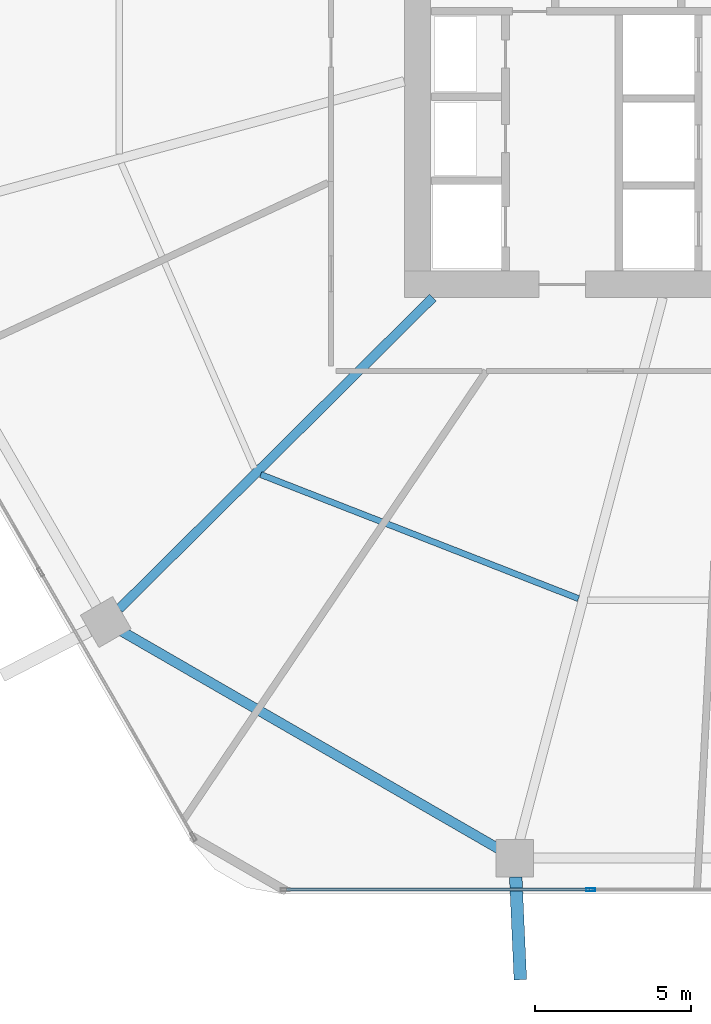
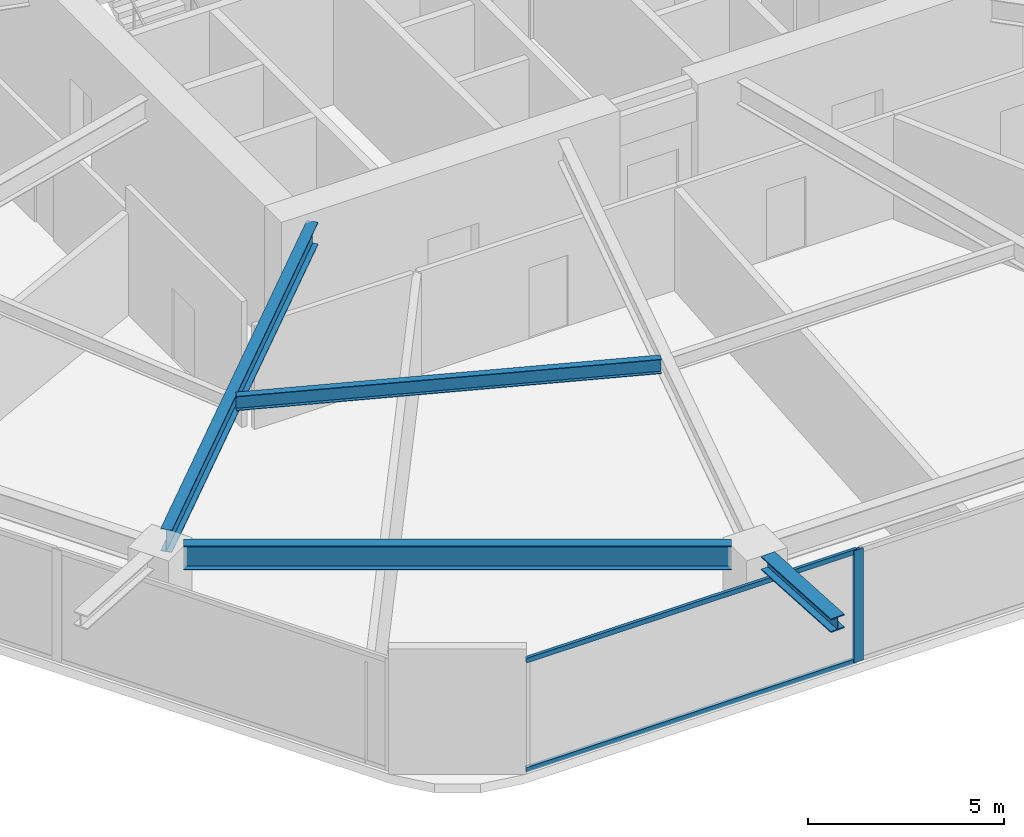
# One storey, part 3 of 25: 4 beams, 3 members, 1 element without a shape of its own.
"""IFC4 building model written with IfcOpenShell, lengths in metres."""

from ifc_helpers import new_model, si_unit, direction, frame, origin, origin_2d, place, context, subcontext, project, spatial, hollow_rectangle, i_section, extrude, material, material_profile, profile_set, type_object, element, aggregate, save


model = new_model("IFC4")

# Units and contexts
model_context = context("Model", 3, precision=1e-05, world=origin(), true_north=direction((0.0, 1.0)))
body_context = subcontext(model_context, "Body", "Model", "MODEL_VIEW")
ifc_project = project(units=[si_unit("LENGTHUNIT", "METRE"), si_unit("AREAUNIT", "SQUARE_METRE"), si_unit("VOLUMEUNIT", "CUBIC_METRE"), si_unit("PLANEANGLEUNIT", "RADIAN"), si_unit("MASSUNIT", "GRAM", prefix="KILO")], contexts=[model_context])

# Site, building, storey
site_placement = place(None, origin())
site = spatial("IfcSite", under=ifc_project, at=site_placement, CompositionType="ELEMENT")
building_placement = place(site_placement, origin())
building = spatial("IfcBuilding", under=site, at=building_placement, Name="Zuhravey Tower", CompositionType="ELEMENT")
storey_placement = place(building_placement, frame((0.0, 0.0, 45.60009765625)))
storey = spatial("IfcBuildingStorey", under=building, at=storey_placement, Name="L11", CompositionType="ELEMENT", Elevation=45.60009765625)

# Curtain wall, members
ifc_material_1 = material(Name="Thermally broken anodised aluminium", Category="aluminium")
curtain_wall_type = type_object("IfcCurtainWallType", Name="School Low-E Unitised Curtain Wall CW1", PredefinedType="NOTDEFINED", material=ifc_material_1)
curtain_wall_placement = place(storey_placement, origin())
curtain_wall = element("IfcCurtainWall", 1, at=curtain_wall_placement, inside=storey, type_object=curtain_wall_type, Name="L11 CW1 CW-L11-F5-1", PredefinedType="NOTDEFINED")
ifc_material_2 = material(Name="Anodised aluminium", Category="aluminium")
ifc_material_profile_1 = material_profile(ifc_material_2, hollow_rectangle(XDim=0.090087890625, YDim=0.284912109375, WallThickness=0.0048828125, at=origin_2d()), Name="ALU-RHS-90x285x5")
ifc_profile_set_1 = profile_set([ifc_material_profile_1], Name="Anodised aluminium")
member_type_1 = type_object("IfcMemberType", Name="Curtain-Wall Mullion 90x180", PredefinedType="MULLION", material=ifc_profile_set_1)
member_1_placement = place(storey_placement, frame((31.06689453125, 3.04150390625, 0.0), z_axis=(0.0, 0.0, 1.0), x_axis=(0.0, -1.0, 0.0)))
member_1 = element("IfcMember", 2, at=member_1_placement, type_object=member_type_1, Name="CW1 mullion 3", PredefinedType="MULLION", context=body_context, shape_type="SweptSolid", body=[
    extrude(hollow_rectangle(XDim=0.090087890625, YDim=0.284912109375, WallThickness=0.0048828125, at=origin_2d()), origin(), (0.0, 0.0, 1.0), 3.491943359375),
])
ifc_material_profile_2 = material_profile(ifc_material_2, hollow_rectangle(XDim=0.090087890625, YDim=0.14990234375, WallThickness=0.0048828125, at=origin_2d()), Name="ALU-RHS-90x150x5")
ifc_profile_set_2 = profile_set([ifc_material_profile_2], Name="Anodised aluminium")
member_type_2 = type_object("IfcMemberType", Name="Curtain-Wall Transom 90x150", PredefinedType="USERDEFINED", material=ifc_profile_set_2)
member_2_placement = place(storey_placement, frame((31.021728515625, 3.04150390625, 0.044921875), z_axis=(-1.0, 0.0, 0.0), x_axis=(0.0, -1.0, 0.0)))
member_2 = element("IfcMember", 3, at=member_2_placement, type_object=member_type_2, Name="CW1 transom 3.1", ObjectType="TRANSOM", PredefinedType="USERDEFINED", context=body_context, shape_type="SweptSolid", body=[
    extrude(hollow_rectangle(XDim=0.090087890625, YDim=0.14990234375, WallThickness=0.0048828125, at=origin_2d()), origin(), (0.0, 0.0, 1.0), 9.731201171875),
])
member_3_placement = place(storey_placement, frame((31.021728515625, 3.04150390625, 3.447021484375), z_axis=(-1.0, 0.0, 0.0), x_axis=(0.0, -1.0, 0.0)))
member_3 = element("IfcMember", 4, at=member_3_placement, type_object=member_type_2, Name="CW1 transom 3.2", ObjectType="TRANSOM", PredefinedType="USERDEFINED", context=body_context, shape_type="SweptSolid", body=[
    extrude(hollow_rectangle(XDim=0.090087890625, YDim=0.14990234375, WallThickness=0.0048828125, at=origin_2d()), origin(), (0.0, 0.0, 1.0), 9.731201171875),
])
aggregate(curtain_wall, [member_1, member_2, member_3])

# Beams
ifc_material_3 = material(Name="Steel SM460", Category="steel")
ifc_material_profile_3 = material_profile(ifc_material_3, i_section(OverallWidth=0.406982421875, OverallDepth=0.427978515625, WebThickness=0.02001953125, FlangeThickness=0.034912109375, at=origin_2d()), Name="H-428x407x20x35")
ifc_profile_set_3 = profile_set([ifc_material_profile_3], Name="Steel SM460")
beam_type_1 = type_object("IfcBeamType", Name="Exoskeleton Node Tie Beam H428x407", PredefinedType="BEAM", material=ifc_profile_set_3)
beam_1_placement = place(storey_placement, frame((28.6572265625, 3.447509765625, 3.705810546875), z_axis=(0.044847958822, -0.9989938241, 0.0), x_axis=(0.9989938241, 0.044847958822, 0.0)))
element("IfcBeam", 5, at=beam_1_placement, inside=storey, type_object=beam_type_1, Name="L11 Exoskeleton Node Tie NT1-09", PredefinedType="BEAM", context=body_context, shape_type="SweptSolid", body=[
    extrude(i_section(OverallWidth=0.406982421875, OverallDepth=0.427978515625, WebThickness=0.02001953125, FlangeThickness=0.034912109375, at=origin_2d()), origin(), (0.0, 0.0, 1.0), 3.304443359375),
])
ifc_material_4 = material(Name="Steel SM355", Category="steel")
ifc_material_profile_4 = material_profile(ifc_material_4, i_section(OverallWidth=0.320068359375, OverallDepth=0.75, WebThickness=0.013916015625, FlangeThickness=0.02490234375, at=origin_2d()), Name="H-750x320x14x25")
ifc_profile_set_4 = profile_set([ifc_material_profile_4], Name="Steel SM355")
beam_type_2 = type_object("IfcBeamType", Name="Perimeter Ring Beam H750x320", PredefinedType="BEAM", material=ifc_profile_set_4)
beam_2_placement = place(storey_placement, frame((16.003173828125, 11.341552734375, 3.544921875), z_axis=(0.866029969761, -0.499992091414, 0.0), x_axis=(0.499992091414, 0.866029969761, 0.0)))
element("IfcBeam", 6, at=beam_2_placement, inside=storey, type_object=beam_type_2, Name="L11 PB1 BM-L11-PB-08", PredefinedType="BEAM", context=body_context, shape_type="SweptSolid", body=[
    extrude(i_section(OverallWidth=0.320068359375, OverallDepth=0.75, WebThickness=0.013916015625, FlangeThickness=0.02490234375, at=origin_2d()), origin(), (0.0, 0.0, 1.0), 13.977294921875),
])
ifc_material_profile_5 = material_profile(ifc_material_4, i_section(OverallWidth=0.300048828125, OverallDepth=0.699951171875, WebThickness=0.012939453125, FlangeThickness=0.02392578125, at=origin_2d()), Name="H-700x300x13x24")
ifc_profile_set_5 = profile_set([ifc_material_profile_5], Name="Steel SM355")
beam_type_3 = type_object("IfcBeamType", Name="Radial Primary Girder H700x300", PredefinedType="BEAM", material=ifc_profile_set_5)
beam_3_placement = place(storey_placement, frame((25.992919921875, 22.072021484375, 3.56982421875), z_axis=(-0.709902823282, -0.704299639, 0.0), x_axis=(0.704299639, -0.709902823282, 0.0)))
element("IfcBeam", 7, at=beam_3_placement, inside=storey, type_object=beam_type_3, Name="L11 RG1 BM-L11-RAD-08", PredefinedType="BEAM", context=body_context, shape_type="SweptSolid", body=[
    extrude(i_section(OverallWidth=0.300048828125, OverallDepth=0.699951171875, WebThickness=0.012939453125, FlangeThickness=0.02392578125, at=origin_2d()), origin(), (0.0, 0.0, 1.0), 14.204345703125),
])
ifc_material_profile_6 = material_profile(ifc_material_4, i_section(OverallWidth=0.199951171875, OverallDepth=0.449951171875, WebThickness=0.009033203125, FlangeThickness=0.013916015625, at=origin_2d()), Name="H-450x200x9x14")
ifc_profile_set_6 = profile_set([ifc_material_profile_6], Name="Steel SM355")
beam_type_4 = type_object("IfcBeamType", Name="Secondary Floor Joist H450x200", PredefinedType="JOIST", material=ifc_profile_set_6)
beam_4_placement = place(storey_placement, frame((20.4599609375, 16.38427734375, 3.69482421875), z_axis=(0.931516535886, -0.363698973562, 0.0), x_axis=(0.363698973562, 0.931516535886, 0.0)))
element("IfcBeam", 8, at=beam_4_placement, inside=storey, type_object=beam_type_4, Name="L11 SJ1 BM-L11-SJ-08-1", PredefinedType="JOIST", context=body_context, shape_type="SweptSolid", body=[
    extrude(i_section(OverallWidth=0.199951171875, OverallDepth=0.449951171875, WebThickness=0.009033203125, FlangeThickness=0.013916015625, at=origin_2d()), origin(), (0.0, 0.0, 1.0), 10.963134765625),
])

save(model, "model.ifc")
